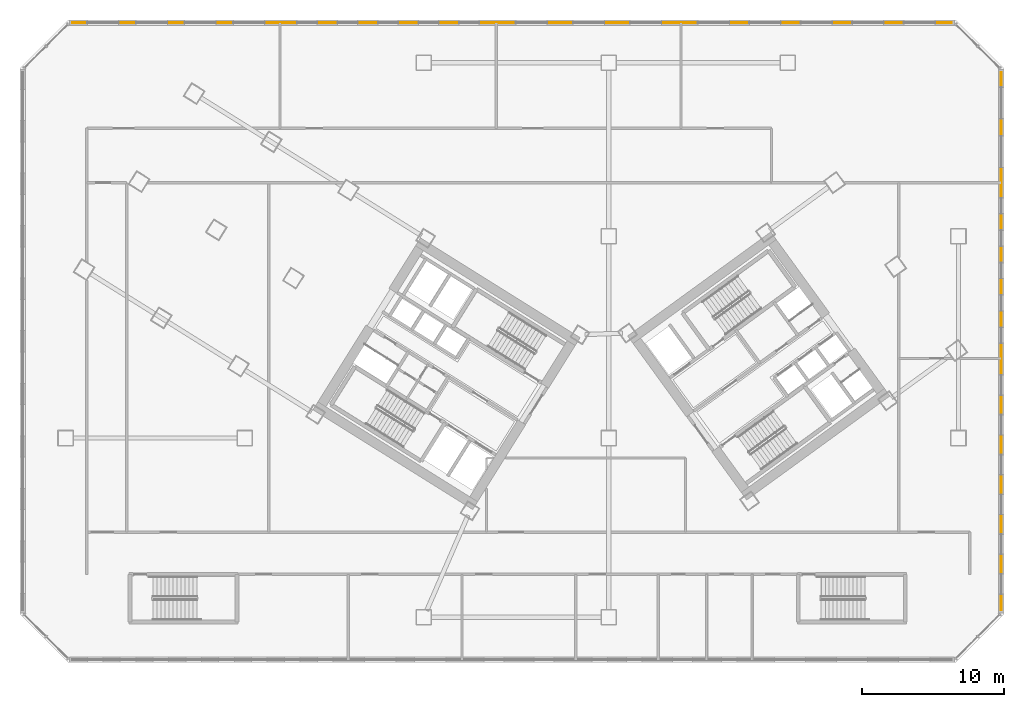
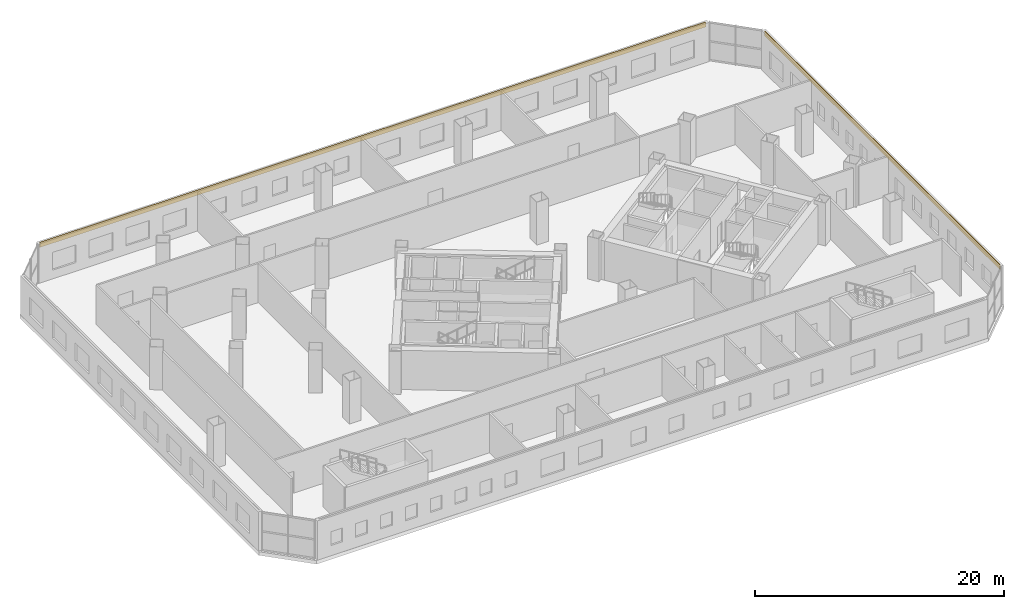
# One storey, part 22 of 22: 2 coverings.
"""IFC4 building model written with IfcOpenShell, lengths in metres."""

from ifc_helpers import new_model, si_unit, direction, frame, origin, origin_2d, place, context, subcontext, project, spatial, rectangle, extrude, source, transform, mapped, material, layer, layer_set, type_object, element, save


model = new_model("IFC4")

# Units and contexts
model_context = context("Model", 3, precision=1e-05, world=origin(), true_north=direction((0.0, 1.0)))
body_context = subcontext(model_context, "Body", "Model", "MODEL_VIEW")
ifc_project = project(units=[si_unit("LENGTHUNIT", "METRE"), si_unit("AREAUNIT", "SQUARE_METRE"), si_unit("VOLUMEUNIT", "CUBIC_METRE"), si_unit("PLANEANGLEUNIT", "RADIAN"), si_unit("MASSUNIT", "GRAM", prefix="KILO")], contexts=[model_context])

# Site, building, storey
site_placement = place(None, origin())
site = spatial("IfcSite", under=ifc_project, at=site_placement, CompositionType="ELEMENT")
building_placement = place(site_placement, origin())
building = spatial("IfcBuilding", under=site, at=building_placement, Name="Tlacorven Tower", CompositionType="ELEMENT")
storey_placement = place(building_placement, frame((0.0, 0.0, 14.39990234375)))
storey = spatial("IfcBuildingStorey", under=building, at=storey_placement, Name="L03", CompositionType="ELEMENT", Elevation=14.39990234375)

# Coverings
ifc_material = material(Name="Precast concrete C45/55", Category="concrete")
ifc_layer = layer(ifc_material, 0.06005859375)
ifc_layer_set = layer_set([ifc_layer], Name="Precast concrete C45/55")
covering_type = type_object("IfcCoveringType", Name="CV-CLD-TERC", PredefinedType="CLADDING", material=ifc_layer_set)
shared_shape_1 = source(origin(), body_context, "Body", "SweptSolid", [
    extrude(rectangle(XDim=37.834228515625, YDim=0.06005859375, at=origin_2d()), origin(), (0.0, 0.0, 1.0), 0.47998046875),
])
covering_1_placement = place(storey_placement, frame((70.39990234375, 24.0, 3.3701171875), z_axis=(0.0, 0.0, 1.0), x_axis=(0.0, -1.0, 0.0)))
element("IfcCovering", 1, at=covering_1_placement, inside=storey, type_object=covering_type, Name="L03 Expressed Terracotta Masonry Spandrel Band 6", PredefinedType="CLADDING", context=body_context, shape_type="MappedRepresentation", body=[
    mapped(shared_shape_1, transform((0.0, 0.0, 0.0), scale=1.0)),
])
shared_shape_2 = source(origin(), body_context, "Body", "SweptSolid", [
    extrude(rectangle(XDim=61.834228515625, YDim=0.06005859375, at=origin_2d()), origin(), (0.0, 0.0, 1.0), 0.47998046875),
])
covering_2_placement = place(storey_placement, frame((36.0, 46.39990234375, 3.3701171875), z_axis=(0.0, 0.0, 1.0), x_axis=(1.0, 0.0, 0.0)))
element("IfcCovering", 2, at=covering_2_placement, inside=storey, type_object=covering_type, Name="L03 Expressed Terracotta Masonry Spandrel Band 4", PredefinedType="CLADDING", context=body_context, shape_type="MappedRepresentation", body=[
    mapped(shared_shape_2, transform((0.0, 0.0, 0.0), scale=1.0)),
])

save(model, "model.ifc")
